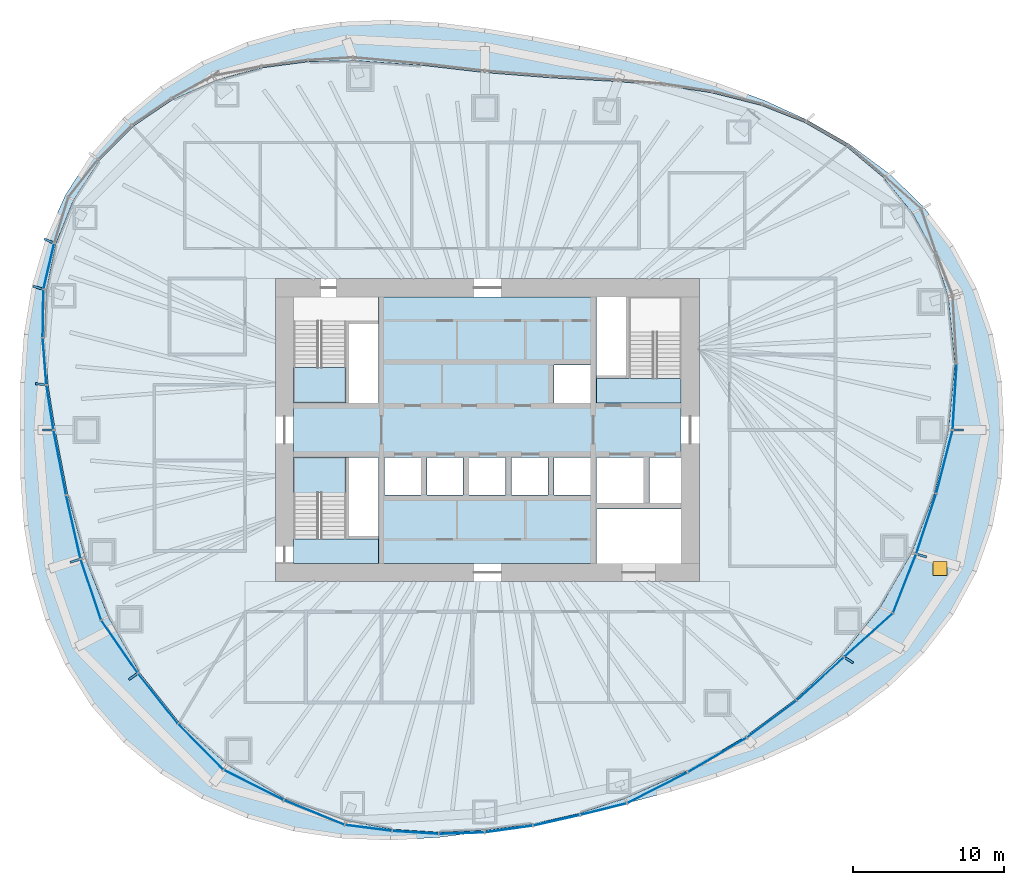
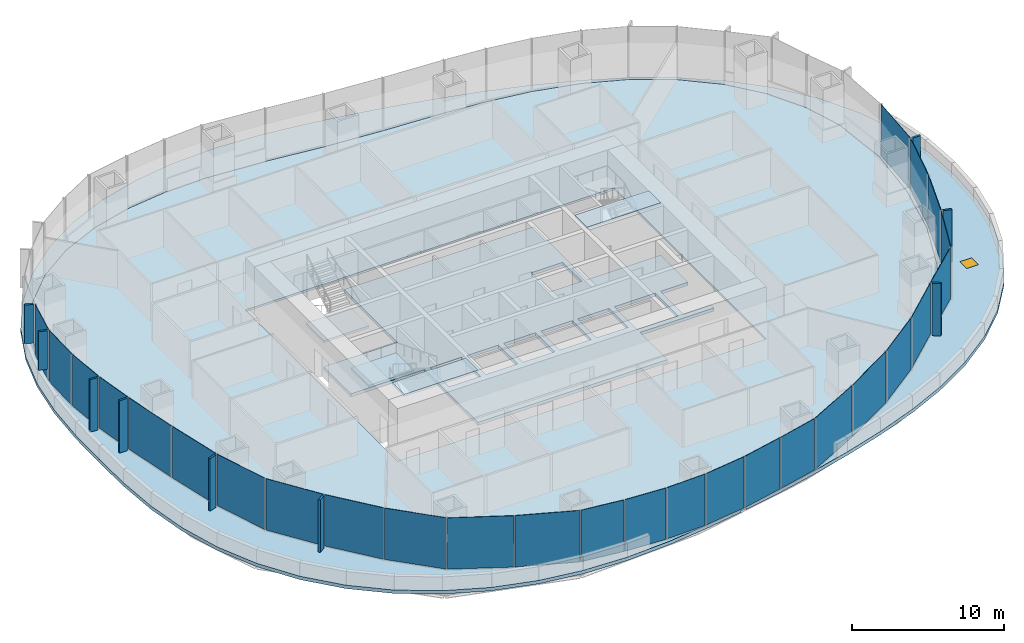
# One storey, part 7 of 20: 36 plates, 7 slabs, 1 window, 1 opening, 16 elements without a shape of their own.
"""IFC4 building model written with IfcOpenShell, lengths in metres."""

from ifc_helpers import new_model, si_unit, direction, frame, origin, origin_2d, place, context, subcontext, project, spatial, polyline, rectangle, outline, extrude, material, layer, layer_set, type_object, element, fill, aggregate, save


model = new_model("IFC4")

# Units and contexts
model_context = context("Model", 3, precision=1e-05, world=origin(), true_north=direction((0.0, 1.0)))
body_context = subcontext(model_context, "Body", "Model", "MODEL_VIEW")
ifc_project = project(units=[si_unit("LENGTHUNIT", "METRE"), si_unit("AREAUNIT", "SQUARE_METRE"), si_unit("VOLUMEUNIT", "CUBIC_METRE"), si_unit("PLANEANGLEUNIT", "RADIAN"), si_unit("MASSUNIT", "GRAM", prefix="KILO")], contexts=[model_context])

# Site, building, storey
site_placement = place(None, origin())
site = spatial("IfcSite", under=ifc_project, at=site_placement, CompositionType="ELEMENT")
building_placement = place(site_placement, origin())
building = spatial("IfcBuilding", under=site, at=building_placement, Name="Ghaith Harvest Tower", CompositionType="ELEMENT")
storey_placement = place(building_placement, frame((0.0, 0.0, 105.0)))
storey = spatial("IfcBuildingStorey", under=building, at=storey_placement, Name="L21", CompositionType="ELEMENT", Elevation=105.0)

# Curtain wall, plate
ifc_material_1 = material(Name="Black anodised aluminium and fritted glass", Category="aluminium")
curtain_wall_type = type_object("IfcCurtainWallType", Name="CW-L CURTAIN WALL", PredefinedType="NOTDEFINED", material=ifc_material_1)
curtain_wall_1_placement = place(storey_placement, origin())
curtain_wall_1 = element("IfcCurtainWall", 1, at=curtain_wall_1_placement, inside=storey, type_object=curtain_wall_type, Name="Curtain wall CW-L bay 01 L21", PredefinedType="NOTDEFINED")
ifc_material_2 = material(Name="Glass, dark solar-control fritted double glazed unit", Category="glass")
ifc_layer_1 = layer(ifc_material_2, 0.031982421875)
ifc_layer_set_1 = layer_set([ifc_layer_1], Name="CW-L VISION PANEL")
plate_type_1 = type_object("IfcPlateType", Name="CW-L VISION PANEL", PredefinedType="CURTAIN_PANEL", material=ifc_layer_set_1)
plate_1_placement = place(storey_placement, frame((30.86376953125, 2.19482421875, 0.079833984375), z_axis=(0.0, 0.0, 1.0), x_axis=(0.061379619468, 0.99811449359, 0.0)))
plate_1 = element("IfcPlate", 2, at=plate_1_placement, type_object=plate_type_1, Name="CW-L glass unit 1 bay 01 L21", PredefinedType="CURTAIN_PANEL", context=body_context, shape_type="SweptSolid", body=[
    extrude(rectangle(XDim=4.318115234375, YDim=0.031982421875, at=origin_2d()), origin(), (0.0, 0.0, 1.0), 4.1201171875),
])
aggregate(curtain_wall_1, [plate_1])

curtain_wall_2_placement = place(storey_placement, origin())
curtain_wall_2 = element("IfcCurtainWall", 3, at=curtain_wall_2_placement, inside=storey, type_object=curtain_wall_type, Name="Curtain wall CW-L bay 09 L21", PredefinedType="NOTDEFINED")
plate_2_placement = place(storey_placement, frame((-28.9716796875, 10.819091796875, 0.079833984375), z_axis=(0.0, 0.0, 1.0), x_axis=(-0.226698962458, -0.973964876379, 0.0)))
plate_2 = element("IfcPlate", 4, at=plate_2_placement, type_object=plate_type_1, Name="CW-L glass unit 3 bay 09 L21", PredefinedType="CURTAIN_PANEL", context=body_context, shape_type="SweptSolid", body=[
    extrude(rectangle(XDim=3.05126953125, YDim=0.031982421875, at=origin_2d()), origin(), (0.0, 0.0, 1.0), 4.1201171875),
])
aggregate(curtain_wall_2, [plate_2])

# Curtain wall, plates
curtain_wall_3_placement = place(storey_placement, origin())
curtain_wall_3 = element("IfcCurtainWall", 5, at=curtain_wall_3_placement, inside=storey, type_object=curtain_wall_type, Name="Curtain wall CW-L bay 10 L21", PredefinedType="NOTDEFINED")
plate_3_placement = place(storey_placement, frame((-29.352294921875, 7.695068359375, 0.079833984375), z_axis=(0.0, 0.0, 1.0), x_axis=(-0.016034106433, -0.999871445452, 0.0)))
plate_3 = element("IfcPlate", 6, at=plate_3_placement, type_object=plate_type_1, Name="CW-L glass unit 1 bay 10 L21", PredefinedType="CURTAIN_PANEL", context=body_context, shape_type="SweptSolid", body=[
    extrude(rectangle(XDim=3.118408203125, YDim=0.031982421875, at=origin_2d()), origin(), (0.0, 0.0, 1.0), 4.1201171875),
])
plate_4_placement = place(storey_placement, frame((-29.25439453125, 4.54345703125, 0.079833984375), z_axis=(0.0, 0.0, 1.0), x_axis=(0.079273335663, -0.996852917061, 0.0)))
plate_4 = element("IfcPlate", 7, at=plate_4_placement, type_object=plate_type_1, Name="CW-L glass unit 2 bay 10 L21", PredefinedType="CURTAIN_PANEL", context=body_context, shape_type="SweptSolid", body=[
    extrude(rectangle(XDim=3.035400390625, YDim=0.031982421875, at=origin_2d()), origin(), (0.0, 0.0, 1.0), 4.1201171875),
])
plate_5_placement = place(storey_placement, frame((-28.896240234375, 1.495361328125, 0.079833984375), z_axis=(0.0, 0.0, 1.0), x_axis=(0.155172175389, -0.987887440949, 0.0)))
plate_5 = element("IfcPlate", 8, at=plate_5_placement, type_object=plate_type_1, Name="CW-L glass unit 3 bay 10 L21", PredefinedType="CURTAIN_PANEL", context=body_context, shape_type="SweptSolid", body=[
    extrude(rectangle(XDim=2.947265625, YDim=0.031982421875, at=origin_2d()), origin(), (0.0, 0.0, 1.0), 4.1201171875),
])
aggregate(curtain_wall_3, [plate_3, plate_4, plate_5])

curtain_wall_4_placement = place(storey_placement, origin())
curtain_wall_4 = element("IfcCurtainWall", 9, at=curtain_wall_4_placement, inside=storey, type_object=curtain_wall_type, Name="Curtain wall CW-L bay 11 L21", PredefinedType="NOTDEFINED")
plate_6_placement = place(storey_placement, frame((-28.24462890625, -2.152099609375, 0.079833984375), z_axis=(0.0, 0.0, 1.0), x_axis=(0.190044913274, -0.981775397399, 0.0)))
plate_6 = element("IfcPlate", 10, at=plate_6_placement, type_object=plate_type_1, Name="CW-L glass unit 1 bay 11 L21", PredefinedType="CURTAIN_PANEL", context=body_context, shape_type="SweptSolid", body=[
    extrude(rectangle(XDim=4.303955078125, YDim=0.031982421875, at=origin_2d()), origin(), (0.0, 0.0, 1.0), 4.1201171875),
])
plate_7_placement = place(storey_placement, frame((-27.351806640625, -6.41064453125, 0.079833984375), z_axis=(0.0, 0.0, 1.0), x_axis=(0.220483469245, -0.975390711351, 0.0)))
plate_7 = element("IfcPlate", 11, at=plate_7_placement, type_object=plate_type_1, Name="CW-L glass unit 2 bay 11 L21", PredefinedType="CURTAIN_PANEL", context=body_context, shape_type="SweptSolid", body=[
    extrude(rectangle(XDim=4.239501953125, YDim=0.031982421875, at=origin_2d()), origin(), (0.0, 0.0, 1.0), 4.1201171875),
])
aggregate(curtain_wall_4, [plate_6, plate_7])

curtain_wall_5_placement = place(storey_placement, origin())
curtain_wall_5 = element("IfcCurtainWall", 12, at=curtain_wall_5_placement, inside=storey, type_object=curtain_wall_type, Name="Curtain wall CW-L bay 12 L21", PredefinedType="NOTDEFINED")
plate_8_placement = place(storey_placement, frame((-26.194580078125, -10.537841796875, 0.079833984375), z_axis=(0.0, 0.0, 1.0), x_axis=(0.319477383729, -0.947593901039, 0.0)))
plate_8 = element("IfcPlate", 13, at=plate_8_placement, type_object=plate_type_1, Name="CW-L glass unit 1 bay 12 L21", PredefinedType="CURTAIN_PANEL", context=body_context, shape_type="SweptSolid", body=[
    extrude(rectangle(XDim=4.184326171875, YDim=0.031982421875, at=origin_2d()), origin(), (0.0, 0.0, 1.0), 4.1201171875),
])
plate_9_placement = place(storey_placement, frame((-24.3017578125, -14.312255859375, 0.079833984375), z_axis=(0.0, 0.0, 1.0), x_axis=(0.568347699633, -0.822788485774, 0.0)))
plate_9 = element("IfcPlate", 14, at=plate_9_placement, type_object=plate_type_1, Name="CW-L glass unit 2 bay 12 L21", PredefinedType="CURTAIN_PANEL", context=body_context, shape_type="SweptSolid", body=[
    extrude(rectangle(XDim=4.18359375, YDim=0.031982421875, at=origin_2d()), origin(), (0.0, 0.0, 1.0), 4.1201171875),
])
aggregate(curtain_wall_5, [plate_8, plate_9])

curtain_wall_6_placement = place(storey_placement, origin())
curtain_wall_6 = element("IfcCurtainWall", 15, at=curtain_wall_6_placement, inside=storey, type_object=curtain_wall_type, Name="Curtain wall CW-L bay 13 L21", PredefinedType="NOTDEFINED")
plate_10_placement = place(storey_placement, frame((-21.765625, -17.7314453125, 0.079833984375), z_axis=(0.0, 0.0, 1.0), x_axis=(0.622507360482, -0.782613944513, 0.0)))
plate_10 = element("IfcPlate", 16, at=plate_10_placement, type_object=plate_type_1, Name="CW-L glass unit 1 bay 13 L21", PredefinedType="CURTAIN_PANEL", context=body_context, shape_type="SweptSolid", body=[
    extrude(rectangle(XDim=4.175537109375, YDim=0.031982421875, at=origin_2d()), origin(), (0.0, 0.0, 1.0), 4.1201171875),
])
plate_11_placement = place(storey_placement, frame((-18.935791015625, -20.920166015625, 0.079833984375), z_axis=(0.0, 0.0, 1.0), x_axis=(0.702843151286, -0.711344856375, 0.0)))
plate_11 = element("IfcPlate", 17, at=plate_11_placement, type_object=plate_type_1, Name="CW-L glass unit 2 bay 13 L21", PredefinedType="CURTAIN_PANEL", context=body_context, shape_type="SweptSolid", body=[
    extrude(rectangle(XDim=4.203369140625, YDim=0.031982421875, at=origin_2d()), origin(), (0.0, 0.0, 1.0), 4.1201171875),
])
aggregate(curtain_wall_6, [plate_10, plate_11])

curtain_wall_7_placement = place(storey_placement, origin())
curtain_wall_7 = element("IfcCurtainWall", 18, at=curtain_wall_7_placement, inside=storey, type_object=curtain_wall_type, Name="Curtain wall CW-L bay 14 L21", PredefinedType="NOTDEFINED")
plate_12_placement = place(storey_placement, frame((-15.44677734375, -23.443115234375, 0.079833984375), z_axis=(0.0, 0.0, 1.0), x_axis=(0.893062297869, -0.449933030712, 0.0)))
plate_12 = element("IfcPlate", 19, at=plate_12_placement, type_object=plate_type_1, Name="CW-L glass unit 1 bay 14 L21", PredefinedType="CURTAIN_PANEL", context=body_context, shape_type="SweptSolid", body=[
    extrude(rectangle(XDim=4.362548828125, YDim=0.031982421875, at=origin_2d()), origin(), (0.0, 0.0, 1.0), 4.1201171875),
])
plate_13_placement = place(storey_placement, frame((-11.441162109375, -25.260498046875, 0.079833984375), z_axis=(0.0, 0.0, 1.0), x_axis=(0.927002522537, -0.375055093567, 0.0)))
plate_13 = element("IfcPlate", 20, at=plate_13_placement, type_object=plate_type_1, Name="CW-L glass unit 2 bay 14 L21", PredefinedType="CURTAIN_PANEL", context=body_context, shape_type="SweptSolid", body=[
    extrude(rectangle(XDim=4.282470703125, YDim=0.031982421875, at=origin_2d()), origin(), (0.0, 0.0, 1.0), 4.1201171875),
])
aggregate(curtain_wall_7, [plate_12, plate_13])

curtain_wall_8_placement = place(storey_placement, origin())
curtain_wall_8 = element("IfcCurtainWall", 21, at=curtain_wall_8_placement, inside=storey, type_object=curtain_wall_type, Name="Curtain wall CW-L bay 15 L21", PredefinedType="NOTDEFINED")
plate_14_placement = place(storey_placement, frame((-7.856689453125, -26.281005859375, 0.079833984375), z_axis=(0.0, 0.0, 1.0), x_axis=(0.99172348392, -0.128392100386, 0.0)))
plate_14 = element("IfcPlate", 22, at=plate_14_placement, type_object=plate_type_1, Name="CW-L glass unit 1 bay 15 L21", PredefinedType="CURTAIN_PANEL", context=body_context, shape_type="SweptSolid", body=[
    extrude(rectangle(XDim=3.07080078125, YDim=0.031982421875, at=origin_2d()), origin(), (0.0, 0.0, 1.0), 4.1201171875),
])
plate_15_placement = place(storey_placement, frame((-4.7568359375, -26.57958984375, 0.079833984375), z_axis=(0.0, 0.0, 1.0), x_axis=(0.998038280843, -0.062606628824, 0.0)))
plate_15 = element("IfcPlate", 23, at=plate_15_placement, type_object=plate_type_1, Name="CW-L glass unit 2 bay 15 L21", PredefinedType="CURTAIN_PANEL", context=body_context, shape_type="SweptSolid", body=[
    extrude(rectangle(XDim=3.001220703125, YDim=0.031982421875, at=origin_2d()), origin(), (0.0, 0.0, 1.0), 4.1201171875),
])
plate_16_placement = place(storey_placement, frame((-1.700439453125, -26.624755859375, 0.079833984375), z_axis=(0.0, 0.0, 1.0), x_axis=(0.999431515426, 0.033714180603, 0.0)))
plate_16 = element("IfcPlate", 24, at=plate_16_placement, type_object=plate_type_1, Name="CW-L glass unit 3 bay 15 L21", PredefinedType="CURTAIN_PANEL", context=body_context, shape_type="SweptSolid", body=[
    extrude(rectangle(XDim=2.958984375, YDim=0.031982421875, at=origin_2d()), origin(), (0.0, 0.0, 1.0), 4.1201171875),
])
aggregate(curtain_wall_8, [plate_14, plate_15, plate_16])

curtain_wall_9_placement = place(storey_placement, origin())
curtain_wall_9 = element("IfcCurtainWall", 25, at=curtain_wall_9_placement, inside=storey, type_object=curtain_wall_type, Name="Curtain wall CW-L bay 16 L21", PredefinedType="NOTDEFINED")
plate_17_placement = place(storey_placement, frame((1.4140625, -26.3515625, 0.079833984375), z_axis=(0.0, 0.0, 1.0), x_axis=(0.990448098003, 0.137886058621, 0.0)))
plate_17 = element("IfcPlate", 26, at=plate_17_placement, type_object=plate_type_1, Name="CW-L glass unit 1 bay 16 L21", PredefinedType="CURTAIN_PANEL", context=body_context, shape_type="SweptSolid", body=[
    extrude(rectangle(XDim=3.142578125, YDim=0.031982421875, at=origin_2d()), origin(), (0.0, 0.0, 1.0), 4.1201171875),
])
plate_18_placement = place(storey_placement, frame((4.565185546875, -25.77734375, 0.079833984375), z_axis=(0.0, 0.0, 1.0), x_axis=(0.975341754172, 0.220699937852, 0.0)))
plate_18 = element("IfcPlate", 27, at=plate_18_placement, type_object=plate_type_1, Name="CW-L glass unit 2 bay 16 L21", PredefinedType="CURTAIN_PANEL", context=body_context, shape_type="SweptSolid", body=[
    extrude(rectangle(XDim=3.10888671875, YDim=0.031982421875, at=origin_2d()), origin(), (0.0, 0.0, 1.0), 4.1201171875),
])
plate_19_placement = place(storey_placement, frame((7.66845703125, -25.0400390625, 0.079833984375), z_axis=(0.0, 0.0, 1.0), x_axis=(0.970384283801, 0.241566433413, 0.0)))
plate_19 = element("IfcPlate", 28, at=plate_19_placement, type_object=plate_type_1, Name="CW-L glass unit 3 bay 16 L21", PredefinedType="CURTAIN_PANEL", context=body_context, shape_type="SweptSolid", body=[
    extrude(rectangle(XDim=3.111083984375, YDim=0.031982421875, at=origin_2d()), origin(), (0.0, 0.0, 1.0), 4.1201171875),
])
aggregate(curtain_wall_9, [plate_17, plate_18, plate_19])

curtain_wall_10_placement = place(storey_placement, origin())
curtain_wall_10 = element("IfcCurtainWall", 29, at=curtain_wall_10_placement, inside=storey, type_object=curtain_wall_type, Name="Curtain wall CW-L bay 17 L21", PredefinedType="NOTDEFINED")
plate_20_placement = place(storey_placement, frame((11.220703125, -23.63427734375, 0.079833984375), z_axis=(0.0, 0.0, 1.0), x_axis=(0.891126766056, 0.453754434489, 0.0)))
plate_20 = element("IfcPlate", 30, at=plate_20_placement, type_object=plate_type_1, Name="CW-L glass unit 1 bay 17 L21", PredefinedType="CURTAIN_PANEL", context=body_context, shape_type="SweptSolid", body=[
    extrude(rectangle(XDim=4.417236328125, YDim=0.031982421875, at=origin_2d()), origin(), (0.0, 0.0, 1.0), 4.1201171875),
])
plate_21_placement = place(storey_placement, frame((15.17822265625, -21.46484375, 0.079833984375), z_axis=(0.0, 0.0, 1.0), x_axis=(0.861979497965, 0.506943137924, 0.0)))
plate_21 = element("IfcPlate", 31, at=plate_21_placement, type_object=plate_type_1, Name="CW-L glass unit 2 bay 17 L21", PredefinedType="CURTAIN_PANEL", context=body_context, shape_type="SweptSolid", body=[
    extrude(rectangle(XDim=4.453125, YDim=0.031982421875, at=origin_2d()), origin(), (0.0, 0.0, 1.0), 4.1201171875),
])
aggregate(curtain_wall_10, [plate_20, plate_21])

curtain_wall_11_placement = place(storey_placement, origin())
curtain_wall_11 = element("IfcCurtainWall", 32, at=curtain_wall_11_placement, inside=storey, type_object=curtain_wall_type, Name="Curtain wall CW-L bay 18 L21", PredefinedType="NOTDEFINED")
plate_22_placement = place(storey_placement, frame((18.78076171875, -19.08984375, 0.079833984375), z_axis=(0.0, 0.0, 1.0), x_axis=(0.802462370117, 0.596702727115, 0.0)))
plate_22 = element("IfcPlate", 33, at=plate_22_placement, type_object=plate_type_1, Name="CW-L glass unit 1 bay 18 L21", PredefinedType="CURTAIN_PANEL", context=body_context, shape_type="SweptSolid", body=[
    extrude(rectangle(XDim=4.029541015625, YDim=0.031982421875, at=origin_2d()), origin(), (0.0, 0.0, 1.0), 4.1201171875),
])
plate_23_placement = place(storey_placement, frame((21.9951171875, -16.428955078125, 0.079833984375), z_axis=(0.0, 0.0, 1.0), x_axis=(0.737201663563, 0.675672781189, 0.0)))
plate_23 = element("IfcPlate", 34, at=plate_23_placement, type_object=plate_type_1, Name="CW-L glass unit 2 bay 18 L21", PredefinedType="CURTAIN_PANEL", context=body_context, shape_type="SweptSolid", body=[
    extrude(rectangle(XDim=4.1669921875, YDim=0.031982421875, at=origin_2d()), origin(), (0.0, 0.0, 1.0), 4.1201171875),
])
aggregate(curtain_wall_11, [plate_22, plate_23])

curtain_wall_12_placement = place(storey_placement, origin())
curtain_wall_12 = element("IfcCurtainWall", 35, at=curtain_wall_12_placement, inside=storey, type_object=curtain_wall_type, Name="Curtain wall CW-L bay 19 L21", PredefinedType="NOTDEFINED")
plate_24_placement = place(storey_placement, frame((25.17333984375, -13.54345703125, 0.079833984375), z_axis=(0.0, 0.0, 1.0), x_axis=(0.743493028761, 0.668743684968, 0.0)))
plate_24 = element("IfcPlate", 36, at=plate_24_placement, type_object=plate_type_1, Name="CW-L glass unit 1 bay 19 L21", PredefinedType="CURTAIN_PANEL", context=body_context, shape_type="SweptSolid", body=[
    extrude(rectangle(XDim=4.2587890625, YDim=0.031982421875, at=origin_2d()), origin(), (0.0, 0.0, 1.0), 4.1201171875),
])
plate_25_placement = place(storey_placement, frame((27.552978515625, -10.138916015625, 0.079833984375), z_axis=(0.0, 0.0, 1.0), x_axis=(0.365226458984, 0.930918704108, 0.0)))
plate_25 = element("IfcPlate", 37, at=plate_25_placement, type_object=plate_type_1, Name="CW-L glass unit 2 bay 19 L21", PredefinedType="CURTAIN_PANEL", context=body_context, shape_type="SweptSolid", body=[
    extrude(rectangle(XDim=4.11767578125, YDim=0.031982421875, at=origin_2d()), origin(), (0.0, 0.0, 1.0), 4.1201171875),
])
aggregate(curtain_wall_12, [plate_24, plate_25])

curtain_wall_13_placement = place(storey_placement, origin())
curtain_wall_13 = element("IfcCurtainWall", 38, at=curtain_wall_13_placement, inside=storey, type_object=curtain_wall_type, Name="Curtain wall CW-L bay 20 L21", PredefinedType="NOTDEFINED")
plate_26_placement = place(storey_placement, frame((28.982666015625, -6.191650390625, 0.079833984375), z_axis=(0.0, 0.0, 1.0), x_axis=(0.315708038084, 0.948856382541, 0.0)))
plate_26 = element("IfcPlate", 39, at=plate_26_placement, type_object=plate_type_1, Name="CW-L glass unit 1 bay 20 L21", PredefinedType="CURTAIN_PANEL", context=body_context, shape_type="SweptSolid", body=[
    extrude(rectangle(XDim=4.12158203125, YDim=0.031982421875, at=origin_2d()), origin(), (0.0, 0.0, 1.0), 4.1201171875),
])
plate_27_placement = place(storey_placement, frame((30.187255859375, -2.09912109375, 0.079833984375), z_axis=(0.0, 0.0, 1.0), x_axis=(0.24974411022, 0.968311870944, 0.0)))
plate_27 = element("IfcPlate", 40, at=plate_27_placement, type_object=plate_type_1, Name="CW-L glass unit 2 bay 20 L21", PredefinedType="CURTAIN_PANEL", context=body_context, shape_type="SweptSolid", body=[
    extrude(rectangle(XDim=4.255615234375, YDim=0.031982421875, at=origin_2d()), origin(), (0.0, 0.0, 1.0), 4.1201171875),
])
aggregate(curtain_wall_13, [plate_26, plate_27])

# Slabs
ifc_material_3 = material(Name="Concrete C40/50", Category="concrete")
ifc_layer_2 = layer(ifc_material_3, 0.169921875)
ifc_layer_set_2 = layer_set([ifc_layer_2], Name="FLOOR SLAB 170")
slab_type_1 = type_object("IfcSlabType", Name="FLOOR SLAB 170", PredefinedType="FLOOR", material=ifc_layer_set_2)
slab_1_placement = place(storey_placement, frame((0.0, 0.0, -0.169921875)))
element("IfcSlab", 41, at=slab_1_placement, inside=storey, type_object=slab_type_1, Name="Floor slab L21", PredefinedType="FLOOR", context=body_context, shape_type="SweptSolid", body=[
    extrude(outline(polyline([(30.458740234375, 0.0), (30.8798828125, 4.373046875), (30.439208984375, 8.797607421875), (29.52294921875, 11.671875), (28.0888671875, 14.32568359375), (26.179443359375, 16.660888671875), (23.7275390625, 18.718017578125), (20.97998046875, 20.3056640625), (18.0849609375, 21.4462890625), (14.79833984375, 22.27978515625), (11.617919921875, 22.757080078125), (8.604736328125, 23.017333984375), (4.125732421875, 23.272705078125), (-0.16162109375, 23.609619140625), (-4.302001953125, 24.089111328125), (-8.814208984375, 24.404541015625), (-11.788818359375, 24.331787109375), (-14.860595703125, 23.927978515625), (-17.938232421875, 23.097412109375), (-20.79248046875, 21.82470703125), (-23.398193359375, 20.06103515625), (-25.61962890625, 17.826416015625), (-27.33837890625, 15.204833984375), (-28.506591796875, 12.29638671875), (-29.12646484375, 9.230712890625), (-29.260498046875, 6.07177734375), (-29.01171875, 2.978271484375), (-28.541259765625, 0.0), (-27.70947265625, -4.285888671875), (-26.580078125, -8.423583984375), (-25.046875, -12.32861328125), (-22.99169921875, -15.997802734375), (-20.35400390625, -19.31396484375), (-17.1728515625, -22.11181640625), (-13.4052734375, -24.33740234375), (-9.317138671875, -25.79638671875), (-6.2666015625, -26.366455078125), (-3.204833984375, -26.556884765625), (-0.180908203125, -26.423583984375), (2.99609375, -26.010009765625), (6.09228515625, -25.308837890625), (9.09423828125, -24.326904296875), (13.163818359375, -22.510498046875), (17.054443359375, -20.22412109375), (20.33935546875, -17.784912109375), (23.400390625, -14.89208984375), (25.94775390625, -11.714111328125), (28.03125, -8.1015625), (29.527099609375, -4.181396484375), (30.458740234375, 0.0)]), holes=[polyline([(-14.0, -10.0), (14.0, -10.0), (14.0, 10.0), (-14.0, 10.0), (-14.0, -10.0)])]), origin(), (0.0, 0.0, 1.0), 0.169921875),
])
ifc_material_4 = material(Name="Concrete C40/50", Category="concrete")
ifc_layer_3 = layer(ifc_material_4, 0.25)
ifc_layer_set_3 = layer_set([ifc_layer_3], Name="FLOOR SLAB 250")
slab_type_2 = type_object("IfcSlabType", Name="FLOOR SLAB 250", PredefinedType="FLOOR", material=ifc_layer_set_3)
slab_2_placement = place(storey_placement, frame((0.0, 0.0, -0.25)))
element("IfcSlab", 42, at=slab_2_placement, inside=storey, type_object=slab_type_2, Name="Core slab L21", PredefinedType="FLOOR", context=body_context, shape_type="SweptSolid", body=[
    extrude(outline(polyline([(-12.800048828125, 1.800048828125), (-7.199951171875, 1.800048828125), (-7.199951171875, 8.800048828125), (7.199951171875, 8.800048828125), (7.199951171875, 1.800048828125), (12.800048828125, 1.800048828125), (12.800048828125, -1.800048828125), (10.699951171875, -1.800048828125), (10.699951171875, -4.800048828125), (12.800048828125, -4.800048828125), (12.800048828125, -5.199951171875), (7.199951171875, -5.199951171875), (7.199951171875, -8.800048828125), (-7.199951171875, -8.800048828125), (-7.199951171875, -1.800048828125), (-12.800048828125, -1.800048828125), (-12.800048828125, 1.800048828125)]), holes=[polyline([(-4.39990234375, -4.300048828125), (-4.39990234375, -1.800048828125), (-6.800048828125, -1.800048828125), (-6.800048828125, -4.300048828125), (-4.39990234375, -4.300048828125)]), polyline([(-1.60009765625, -4.300048828125), (-1.60009765625, -1.800048828125), (-4.0, -1.800048828125), (-4.0, -4.300048828125), (-1.60009765625, -4.300048828125)]), polyline([(1.199951171875, -1.800048828125), (-1.199951171875, -1.800048828125), (-1.199951171875, -4.300048828125), (1.199951171875, -4.300048828125), (1.199951171875, -1.800048828125)]), polyline([(4.0, -4.300048828125), (4.0, -1.800048828125), (1.60009765625, -1.800048828125), (1.60009765625, -4.300048828125), (4.0, -4.300048828125)]), polyline([(10.300048828125, -4.800048828125), (10.300048828125, -1.800048828125), (7.199951171875, -1.800048828125), (7.199951171875, -4.800048828125), (10.300048828125, -4.800048828125)]), polyline([(6.800048828125, -1.800048828125), (4.39990234375, -1.800048828125), (4.39990234375, -4.300048828125), (6.800048828125, -4.300048828125), (6.800048828125, -1.800048828125)]), polyline([(6.800048828125, 1.800048828125), (6.800048828125, 4.300048828125), (4.39990234375, 4.300048828125), (4.39990234375, 1.800048828125), (6.800048828125, 1.800048828125)])]), origin(), (0.0, 0.0, 1.0), 0.25),
])

# Slab, opening, window
ifc_material_5 = material(Name="Concrete C40/50", Category="concrete")
ifc_layer_4 = layer(ifc_material_5, 0.27490234375)
ifc_layer_set_4 = layer_set([ifc_layer_4], Name="ROOF SLAB 275")
slab_type_3 = type_object("IfcSlabType", Name="ROOF SLAB 275", PredefinedType="ROOF", material=ifc_layer_set_4)
slab_3_placement = place(storey_placement, frame((0.0, 0.0, -0.27490234375)))
slab_3 = element("IfcSlab", 43, at=slab_3_placement, inside=storey, type_object=slab_type_3, Name="Maintenance roof", PredefinedType="ROOF", context=body_context, shape_type="SweptSolid", body=[
    extrude(outline(polyline([(33.95849609375, -3.194091796875), (33.37158203125, -6.333984375), (32.318359375, -9.3408203125), (30.78515625, -12.1708984375), (28.840087890625, -14.708984375), (26.572509765625, -16.9111328125), (23.92431640625, -18.873046875), (21.149169921875, -20.469482421875), (18.34521484375, -21.7548828125), (15.22119140625, -22.916259765625), (12.1796875, -23.857666015625), (9.21533203125, -24.65087890625), (6.10888671875, -25.378662109375), (3.236083984375, -25.955810546875), (6.09228515625, -25.308837890625), (9.09423828125, -24.326904296875), (13.163818359375, -22.510498046875), (17.054443359375, -20.22412109375), (20.33935546875, -17.784912109375), (23.400390625, -14.89208984375), (25.94775390625, -11.714111328125), (28.03125, -8.1015625), (29.527099609375, -4.181396484375), (30.458740234375, 0.0), (30.8798828125, 4.373046875), (30.439208984375, 8.797607421875), (29.52294921875, 11.671875), (28.0888671875, 14.32568359375), (26.179443359375, 16.660888671875), (23.7275390625, 18.718017578125), (20.97998046875, 20.3056640625), (18.0849609375, 21.4462890625), (14.79833984375, 22.27978515625), (11.617919921875, 22.757080078125), (8.604736328125, 23.017333984375), (4.125732421875, 23.272705078125), (-0.16162109375, 23.609619140625), (-4.302001953125, 24.089111328125), (-8.814208984375, 24.404541015625), (-11.788818359375, 24.331787109375), (-14.860595703125, 23.927978515625), (-17.938232421875, 23.097412109375), (-20.79248046875, 21.82470703125), (-23.398193359375, 20.06103515625), (-25.61962890625, 17.826416015625), (-27.33837890625, 15.204833984375), (-28.506591796875, 12.29638671875), (-29.12646484375, 9.230712890625), (-29.260498046875, 6.07177734375), (-29.01171875, 2.978271484375), (-28.541259765625, 0.0), (-27.70947265625, -4.285888671875), (-26.580078125, -8.423583984375), (-25.046875, -12.32861328125), (-22.99169921875, -15.997802734375), (-20.35400390625, -19.31396484375), (-17.1728515625, -22.11181640625), (-13.4052734375, -24.33740234375), (-9.317138671875, -25.79638671875), (-6.2666015625, -26.366455078125), (-3.204833984375, -26.556884765625), (-0.180908203125, -26.423583984375), (2.81884765625, -26.033203125), (-0.181396484375, -26.527099609375), (-3.24755859375, -26.91064453125), (-6.4375, -27.0849609375), (-9.733642578125, -26.949951171875), (-12.828125, -26.476806640625), (-15.907958984375, -25.614501953125), (-18.8935546875, -24.32763671875), (-21.59912109375, -22.671142578125), (-24.04833984375, -20.618408203125), (-26.16455078125, -18.20556640625), (-27.881591796875, -15.507080078125), (-29.182373046875, -12.587890625), (-30.073974609375, -9.531005859375), (-30.606689453125, -6.35107421875), (-30.837158203125, -3.165771484375), (-30.875, 0.0), (-30.837158203125, 3.165771484375), (-30.606689453125, 6.35107421875), (-30.073974609375, 9.531005859375), (-29.182373046875, 12.587890625), (-27.881591796875, 15.507080078125), (-26.16455078125, 18.20556640625), (-24.04833984375, 20.618408203125), (-21.59912109375, 22.671142578125), (-18.8935546875, 24.32763671875), (-15.907958984375, 25.614501953125), (-12.828125, 26.476806640625), (-9.733642578125, 26.949951171875), (-6.4375, 27.0849609375), (-3.24755859375, 26.91064453125), (-0.181396484375, 26.527099609375), (2.99560546875, 26.004150390625), (6.10888671875, 25.378662109375), (9.21533203125, 24.65087890625), (12.1796875, 23.857666015625), (15.22119140625, 22.916259765625), (18.34521484375, 21.7548828125), (21.149169921875, 20.469482421875), (23.92431640625, 18.873046875), (26.572509765625, 16.9111328125), (28.840087890625, 14.708984375), (30.78515625, 12.1708984375), (32.318359375, 9.3408203125), (33.37158203125, 6.333984375), (33.95849609375, 3.194091796875), (34.125, 0.0), (33.95849609375, -3.194091796875)])), origin(), (0.0, 0.0, 1.0), 0.27490234375),
])
opening_placement = place(slab_3_placement, frame((29.89599609375, -9.139892578125, 0.0)))
opening = element("IfcOpeningElement", 44, at=opening_placement, cuts=slab_3, Name="Opening RH1", PredefinedType="OPENING", context=body_context, shape_type="SweptSolid", body=[
    extrude(rectangle(XDim=0.89990234375, YDim=0.89990234375, at=origin_2d()), origin(), (0.0, 0.0, 1.0), 0.27490234375),
])
ifc_material_6 = material(Name="Aluminium hatch", Category="aluminium")
window_type = type_object("IfcWindowType", Name="ROOF ACCESS HATCH 900x900", PartitioningType="SINGLE_PANEL", PredefinedType="SKYLIGHT", material=ifc_material_6)
window_placement = place(opening_placement, frame((0.0, 0.0, 0.224853515625)))
window = element("IfcWindow", 45, at=window_placement, inside=storey, type_object=window_type, Name="Roof access hatch L21", OverallHeight=0.89990234375, OverallWidth=0.89990234375, PartitioningType="SINGLE_PANEL", PredefinedType="SKYLIGHT", context=body_context, shape_type="SweptSolid", body=[
    extrude(rectangle(XDim=0.89990234375, YDim=0.89990234375, at=origin_2d()), origin(), (0.0, 0.0, 1.0), 0.050048828125),
])
fill(opening, window)

# Stair, slab
ifc_material_7 = material(Name="Concrete C40/50, precast", Category="concrete")
stair_type = type_object("IfcStairType", Name="CORE STAIR 24R", PredefinedType="HALF_TURN_STAIR", material=ifc_material_7)
stair_1_placement = place(storey_placement, origin())
stair_1 = element("IfcStair", 46, at=stair_1_placement, inside=storey, type_object=stair_type, Name="Stair ST1 L21", PredefinedType="HALF_TURN_STAIR")
ifc_material_8 = material(Name="Concrete C40/50, precast", Category="concrete")
ifc_layer_5 = layer(ifc_material_8, 0.179931640625)
ifc_layer_set_5 = layer_set([ifc_layer_5], Name="STAIR LANDING 180")
slab_type_4 = type_object("IfcSlabType", Name="STAIR LANDING 180", PredefinedType="LANDING", material=ifc_layer_set_5)
slab_4_placement = place(storey_placement, frame((0.0, 0.0, 1.919921875)))
slab_4 = element("IfcSlab", 47, at=slab_4_placement, type_object=slab_type_4, Name="ST1 landing 1", PredefinedType="LANDING", context=body_context, shape_type="SweptSolid", body=[
    extrude(outline(polyline([(-12.800048828125, 4.139892578125), (-12.800048828125, 1.77490234375), (-9.35009765625, 1.77490234375), (-9.35009765625, 4.139892578125), (-12.800048828125, 4.139892578125)])), origin(), (0.0, 0.0, 1.0), 0.18017578125),
])
aggregate(stair_1, [slab_4])

# Stair, slabs
stair_2_placement = place(storey_placement, origin())
stair_2 = element("IfcStair", 48, at=stair_2_placement, inside=storey, type_object=stair_type, Name="Stair ST3 L21", PredefinedType="HALF_TURN_STAIR")
slab_5_placement = place(storey_placement, frame((0.0, 0.0, 1.919921875)))
slab_5 = element("IfcSlab", 49, at=slab_5_placement, type_object=slab_type_4, Name="ST3 landing 1", PredefinedType="LANDING", context=body_context, shape_type="SweptSolid", body=[
    extrude(outline(polyline([(-12.800048828125, -4.139892578125), (-12.800048828125, -1.77490234375), (-9.35009765625, -1.77490234375), (-9.35009765625, -4.139892578125), (-12.800048828125, -4.139892578125)])), origin(), (0.0, 0.0, 1.0), 0.18017578125),
])
slab_6_placement = place(storey_placement, frame((0.0, 0.0, 4.02001953125)))
slab_6 = element("IfcSlab", 50, at=slab_6_placement, type_object=slab_type_4, Name="ST3 landing 2", PredefinedType="LANDING", context=body_context, shape_type="SweptSolid", body=[
    extrude(outline(polyline([(-12.800048828125, -8.800048828125), (-12.800048828125, -7.199951171875), (-7.199951171875, -7.199951171875), (-7.199951171875, -8.800048828125), (-12.800048828125, -8.800048828125)])), origin(), (0.0, 0.0, 1.0), 0.179931640625),
])
aggregate(stair_2, [slab_5, slab_6])

# Stair, slab
stair_3_placement = place(storey_placement, origin())
stair_3 = element("IfcStair", 51, at=stair_3_placement, inside=storey, type_object=stair_type, Name="Stair ST2 L21", PredefinedType="HALF_TURN_STAIR")
slab_7_placement = place(storey_placement, frame((0.0, 0.0, 4.02001953125)))
slab_7 = element("IfcSlab", 52, at=slab_7_placement, type_object=slab_type_4, Name="ST2 landing 2", PredefinedType="LANDING", context=body_context, shape_type="SweptSolid", body=[
    extrude(outline(polyline([(12.800048828125, 1.800048828125), (12.800048828125, 3.39990234375), (7.199951171875, 3.39990234375), (7.199951171875, 1.800048828125), (12.800048828125, 1.800048828125)])), origin(), (0.0, 0.0, 1.0), 0.179931640625),
])
aggregate(stair_3, [slab_7])

# Plates
ifc_material_9 = material(Name="Glassfibre-reinforced concrete", Category="concrete")
ifc_layer_6 = layer(ifc_material_9, 0.14990234375)
ifc_layer_set_6 = layer_set([ifc_layer_6], Name="SUN-BREAKER FIN 600x150")
plate_type_2 = type_object("IfcPlateType", Name="SUN-BREAKER FIN 600x150", PredefinedType="USERDEFINED", material=ifc_layer_set_6)
plate_28_placement = place(storey_placement, frame((31.148681640625, 0.0, 0.0), z_axis=(0.0, 0.0, 1.0), x_axis=(1.0, 0.0, 0.0)))
element("IfcPlate", 53, at=plate_28_placement, inside=storey, type_object=plate_type_2, Name="Sun-breaker fin CW-L 1 bay 01 L21", ObjectType="SUN-BREAKER FIN", PredefinedType="USERDEFINED", context=body_context, shape_type="SweptSolid", body=[
    extrude(rectangle(XDim=0.60009765625, YDim=0.14990234375, at=origin_2d()), origin(), (0.0, 0.0, 1.0), 4.199951171875),
])
for number, where, z_axis, x_axis, name in (
    (54, (-29.00244140625, 12.51025390625, 1.099853515625), (0.0, 0.0, 1.0), (-0.918217993215, 0.396075392995, 0.0), "Sun-breaker fin CW-L 3 bay 09 L21"),
    (55, (-29.72705078125, 9.4208984375, 1.099853515625), (0.0, 0.0, 1.0), (-0.953273219358, 0.302109531884, 0.0), "Sun-breaker fin CW-L 1 bay 10 L21"),
):
    element("IfcPlate", number, at=place(storey_placement, frame(where, z_axis=z_axis, x_axis=x_axis)), inside=storey, type_object=plate_type_2, Name=name, ObjectType="SUN-BREAKER FIN", PredefinedType="USERDEFINED", context=body_context, shape_type="SweptSolid", body=[
        extrude(rectangle(XDim=0.60009765625, YDim=0.14990234375, at=origin_2d()), origin(), (0.0, 0.0, 1.0), 3.10009765625),
    ])
for number, where, z_axis, x_axis, name in (
    (56, (-29.548828125, 3.033447265625, 0.0), (0.0, 0.0, 1.0), (-0.994771752973, 0.102123256344, 0.0), "Sun-breaker fin CW-L 3 bay 10 L21"),
    (57, (-29.081298828125, 0.0, 0.0), (0.0, 0.0, 1.0), (-1.0, -4.19e-10, 0.0), "Sun-breaker fin CW-L 1 bay 11 L21"),
    (58, (-27.276123046875, -8.644287109375, 0.0), (0.0, 0.0, 1.0), (-0.953273219416, -0.302109531701, 0.0), "Sun-breaker fin CW-L 1 bay 12 L21"),
    (59, (-23.434814453125, -16.30615234375, 0.0), (0.0, 0.0, 1.0), (-0.820845486622, -0.571150319173, 0.0), "Sun-breaker fin CW-L 1 bay 13 L21"),
    (60, (23.914794921875, -15.2197265625, 0.0), (0.0, 0.0, 1.0), (0.84364397137, -0.536903016913, 0.0), "Sun-breaker fin CW-L 1 bay 19 L21"),
    (61, (28.722900390625, -8.301513671875, 0.0), (0.0, 0.0, 1.0), (0.960680349932, -0.277656739976, 0.0), "Sun-breaker fin CW-L 1 bay 20 L21"),
):
    element("IfcPlate", number, at=place(storey_placement, frame(where, z_axis=z_axis, x_axis=x_axis)), inside=storey, type_object=plate_type_2, Name=name, ObjectType="SUN-BREAKER FIN", PredefinedType="USERDEFINED", context=body_context, shape_type="SweptSolid", body=[
        extrude(rectangle(XDim=0.60009765625, YDim=0.14990234375, at=origin_2d()), origin(), (0.0, 0.0, 1.0), 4.199951171875),
    ])

save(model, "model.ifc")
